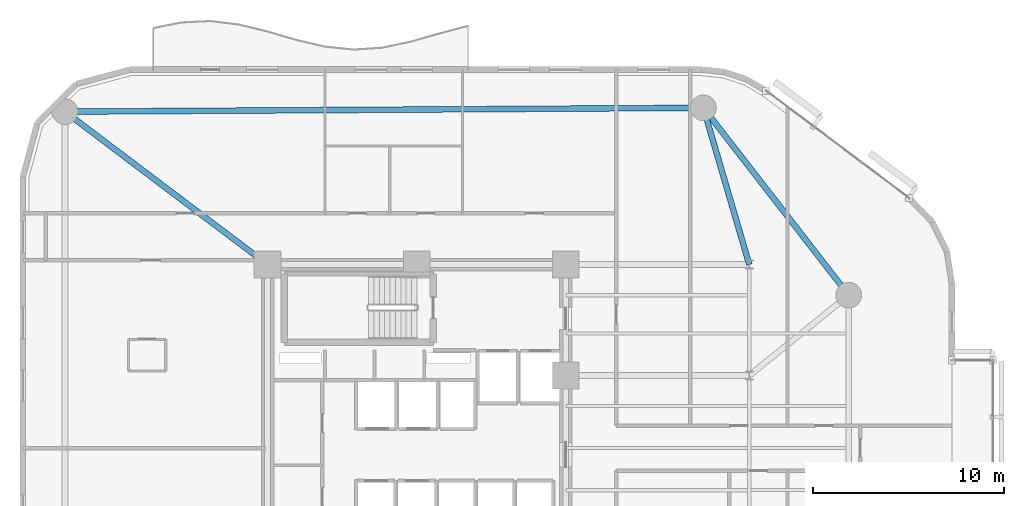
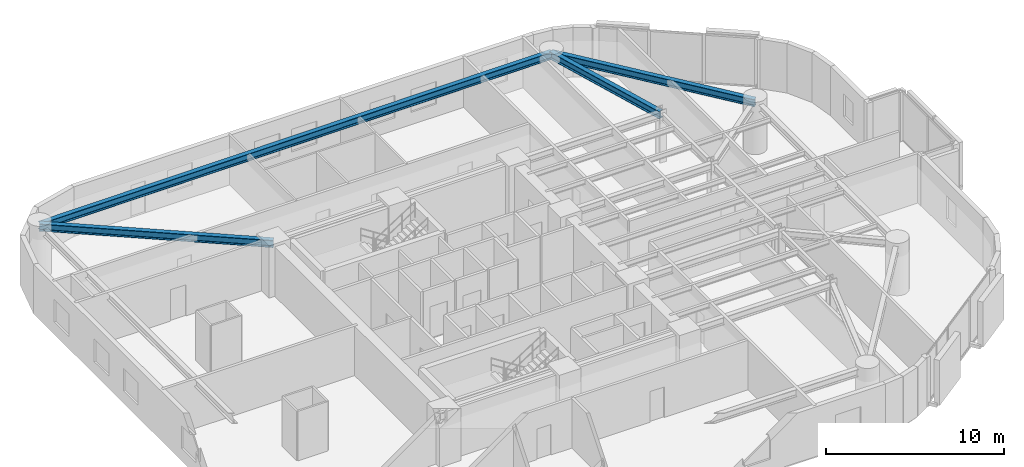
# One storey, part 5 of 14: 4 beams.
"""IFC4 building model written with IfcOpenShell, lengths in metres."""

from ifc_helpers import new_model, si_unit, direction, frame, origin, origin_2d, place, context, subcontext, project, spatial, i_section, extrude, material, material_profile, profile_set, type_object, element, save


model = new_model("IFC4")

# Units and contexts
model_context = context("Model", 3, precision=1e-05, world=origin(), true_north=direction((0.0, 1.0)))
body_context = subcontext(model_context, "Body", "Model", "MODEL_VIEW")
ifc_project = project(units=[si_unit("LENGTHUNIT", "METRE"), si_unit("AREAUNIT", "SQUARE_METRE"), si_unit("VOLUMEUNIT", "CUBIC_METRE"), si_unit("PLANEANGLEUNIT", "RADIAN"), si_unit("MASSUNIT", "GRAM", prefix="KILO")], contexts=[model_context])

# Site, building, storey
site_placement = place(None, origin())
site = spatial("IfcSite", under=ifc_project, at=site_placement, CompositionType="ELEMENT")
building_placement = place(site_placement, origin())
building = spatial("IfcBuilding", under=site, at=building_placement, Name="An Khanh Terracotta Commons", CompositionType="ELEMENT")
storey_placement = place(building_placement, frame((0.0, 0.0, 115.10009765625)))
storey = spatial("IfcBuildingStorey", under=building, at=storey_placement, Name="L30", CompositionType="ELEMENT", Elevation=115.10009765625)

# Beams
ifc_material = material(Name="Steel S355J2", Category="steel")
ifc_material_profile = material_profile(ifc_material, i_section(OverallWidth=0.300048828125, OverallDepth=0.5, WebThickness=0.014404296875, FlangeThickness=0.028076171875, FilletRadius=0.027099609375, at=origin_2d()), Name="HEB500")
ifc_profile_set = profile_set([ifc_material_profile], Name="Steel S355J2")
beam_type = type_object("IfcBeamType", Name="BM-HEB500", PredefinedType="BEAM", material=ifc_profile_set)
beam_1_placement = place(storey_placement, frame((52.0, 32.0, 3.14990234375), z_axis=(-0.612826529795, 0.790217466511, 0.0), x_axis=(-0.790217466511, -0.612826529795, 0.0)))
element("IfcBeam", 1, at=beam_1_placement, inside=storey, type_object=beam_type, Name="L30 Perimeter Ring Spandrel 4", PredefinedType="BEAM", context=body_context, shape_type="SweptSolid", body=[
    extrude(i_section(OverallWidth=0.300048828125, OverallDepth=0.5, WebThickness=0.014404296875, FlangeThickness=0.028076171875, FilletRadius=0.027099609375, at=origin_2d()), origin(), (0.0, 0.0, 1.0), 12.401611328125),
])
beam_2_placement = place(storey_placement, frame((44.39990234375, 41.800048828125, 3.14990234375), z_axis=(-0.999982080914, -0.005986472262, 0.0), x_axis=(0.005986472262, -0.999982080914, 0.0)))
element("IfcBeam", 2, at=beam_2_placement, inside=storey, type_object=beam_type, Name="L30 Perimeter Ring Spandrel 5", PredefinedType="BEAM", context=body_context, shape_type="SweptSolid", body=[
    extrude(i_section(OverallWidth=0.300048828125, OverallDepth=0.5, WebThickness=0.014404296875, FlangeThickness=0.028076171875, FilletRadius=0.027099609375, at=origin_2d()), origin(), (0.0, 0.0, 1.0), 33.400390625),
])
beam_3_placement = place(storey_placement, frame((44.39990234375, 41.800048828125, 3.14990234375), z_axis=(0.280916085823, -0.959732333896, 0.0), x_axis=(0.959732333896, 0.280916085823, 0.0)))
element("IfcBeam", 3, at=beam_3_placement, inside=storey, type_object=beam_type, Name="L30 Mega-Column Tie Girder 5", PredefinedType="BEAM", context=body_context, shape_type="SweptSolid", body=[
    extrude(i_section(OverallWidth=0.300048828125, OverallDepth=0.5, WebThickness=0.014404296875, FlangeThickness=0.028076171875, FilletRadius=0.027099609375, at=origin_2d()), origin(), (0.0, 0.0, 1.0), 8.5439453125),
])
beam_4_placement = place(storey_placement, frame((11.0, 41.60009765625, 3.14990234375), z_axis=(0.798191818888, -0.602403370061, 0.0), x_axis=(0.602403370061, 0.798191818888, 0.0)))
element("IfcBeam", 4, at=beam_4_placement, inside=storey, type_object=beam_type, Name="L30 Mega-Column Tie Girder 6", PredefinedType="BEAM", context=body_context, shape_type="SweptSolid", body=[
    extrude(i_section(OverallWidth=0.300048828125, OverallDepth=0.5, WebThickness=0.014404296875, FlangeThickness=0.028076171875, FilletRadius=0.027099609375, at=origin_2d()), origin(), (0.0, 0.0, 1.0), 13.280029296875),
])

save(model, "model.ifc")
